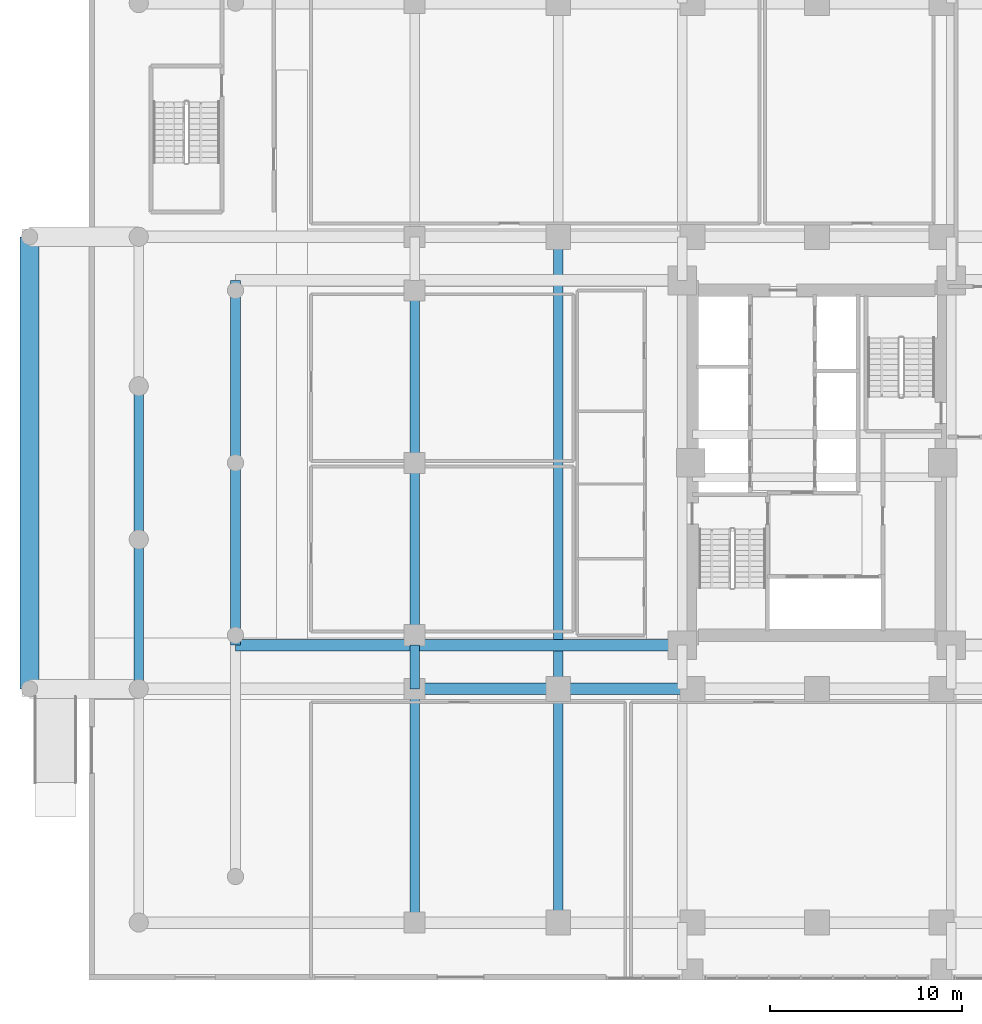
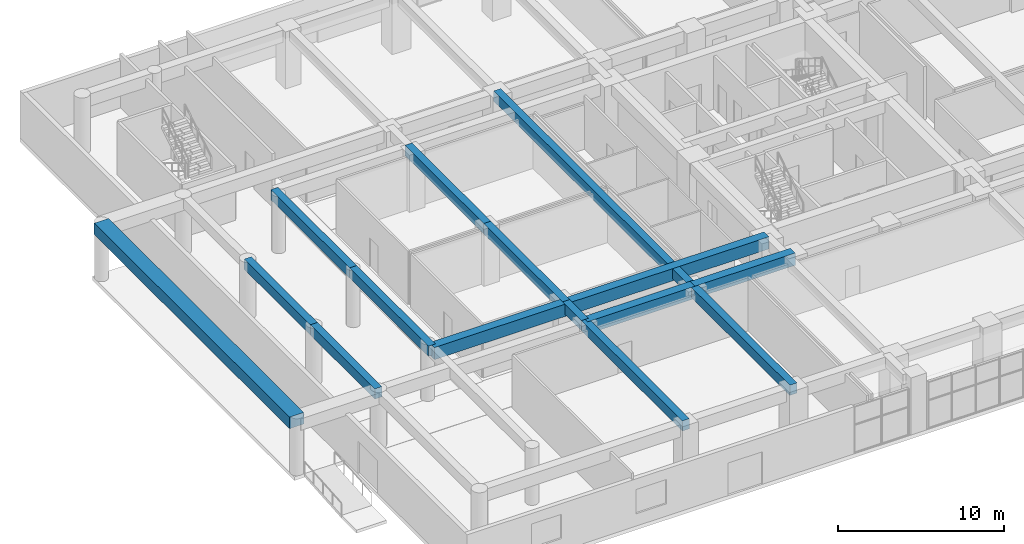
# One storey, part 3 of 24: 15 beams.
"""IFC4 building model written with IfcOpenShell, lengths in metres."""

import ifcopenshell
import ifcopenshell.guid

model = None  # the IFC model being written
_history = None  # IfcOwnerHistory: only IFC2X3 demands one
_inside = {}  # id of a spatial element -> (the spatial element, [elements in it])
_under = {}  # id of a project, library or spatial element -> (it, [spatial elements below it])
_declared = {}  # id of a project -> (the project, [libraries it declares])
_typed = {}  # id of a type object -> (the type object, [elements of that type])
_made_of = {}  # id of a material, layer set ... -> (it, [elements and type objects made of it])


def new_model(schema):
    """Start an empty IFC model of exactly this schema.

    Asked for "IFC4X3", IfcOpenShell would pick the latest addendum, in which some entities
    have other attributes; the version numbers below select the first issue.
    IFC2X3 requires an IfcOwnerHistory on every rooted entity: one is made here for all.
    """
    global model, _history
    if schema == "IFC4X3":
        model = ifcopenshell.file(schema_version=(4, 3, 0, 0))
    else:
        model = ifcopenshell.file(schema=schema)
    _inside.clear()
    _under.clear()
    _declared.clear()
    _typed.clear()
    _made_of.clear()
    _history = None
    if model.schema == "IFC2X3":
        org = make("IfcOrganization", Name="unknown")
        user = make(
            "IfcPersonAndOrganization",
            ThePerson=make("IfcPerson", FamilyName="unknown"),
            TheOrganization=org,
        )
        app = make(
            "IfcApplication",
            ApplicationDeveloper=org,
            Version="unknown",
            ApplicationFullName="unknown",
            ApplicationIdentifier="unknown",
        )
        _history = make(
            "IfcOwnerHistory",
            OwningUser=user,
            OwningApplication=app,
            ChangeAction="ADDED",
            CreationDate=0,
        )
    return model


def make(cls, **values):
    """One entity of the class cls with the attributes given. An attribute that is None is left unset."""
    return model.create_entity(
        cls, **{name: value for name, value in values.items() if value is not None}
    )


def rooted(cls, **values):
    """An entity with a GlobalId (a new one), such as an element, a storey or a relation."""
    return make(cls, GlobalId=ifcopenshell.guid.new(), OwnerHistory=_history, **values)


def si_unit(unit_type, name, prefix=None):
    """IfcSIUnit, for example si_unit("LENGTHUNIT", "METRE", prefix="MILLI")."""
    return make("IfcSIUnit", UnitType=unit_type, Prefix=prefix, Name=name)


def assignment(units):
    """IfcUnitAssignment: the units of a project."""
    return None if units is None else make("IfcUnitAssignment", Units=units)


def point(xyz):
    """IfcCartesianPoint."""
    return None if xyz is None else make("IfcCartesianPoint", Coordinates=xyz)


def direction(xyz):
    """IfcDirection."""
    return None if xyz is None else make("IfcDirection", DirectionRatios=xyz)


def frame(location, z_axis=None, x_axis=None):
    """IfcAxis2Placement3D, a coordinate frame: its origin and axes. An axis left out is left unset."""
    return make(
        "IfcAxis2Placement3D",
        Location=point(location),
        Axis=direction(z_axis),
        RefDirection=direction(x_axis),
    )


def frame_2d(location, x_axis=None):
    """IfcAxis2Placement2D, a coordinate frame in the plane: its origin and x axis."""
    return make(
        "IfcAxis2Placement2D", Location=point(location), RefDirection=direction(x_axis)
    )


def origin():
    """The frame at (0, 0, 0) with its axes left unset."""
    return frame((0.0, 0.0, 0.0))


def origin_2d():
    """The frame at (0, 0) in the plane with its x axis left unset."""
    return frame_2d((0.0, 0.0))


def place(relative_to, where):
    """IfcLocalPlacement: puts the frame where relative to a parent placement (None: the world)."""
    return make(
        "IfcLocalPlacement", PlacementRelTo=relative_to, RelativePlacement=where
    )


def context(
    kind, dimensions, precision=None, world=None, true_north=None, identifier=None
):
    """IfcGeometricRepresentationContext, for example the 3D "Model" context."""
    return make(
        "IfcGeometricRepresentationContext",
        ContextIdentifier=identifier,
        ContextType=kind,
        CoordinateSpaceDimension=dimensions,
        Precision=precision,
        WorldCoordinateSystem=world,
        TrueNorth=true_north,
    )


def subcontext(parent, identifier, kind, view, scale=None):
    """IfcGeometricRepresentationSubContext, for example "Body" below "Model"."""
    return make(
        "IfcGeometricRepresentationSubContext",
        ContextIdentifier=identifier,
        ContextType=kind,
        ParentContext=parent,
        TargetScale=scale,
        TargetView=view,
    )


def project(units=None, contexts=None):
    """IfcProject with its units and contexts."""
    return rooted(
        "IfcProject",
        Name="project",
        RepresentationContexts=contexts,
        UnitsInContext=assignment(units),
    )


def spatial(cls, under=None, at=None, **own):
    """A site, building, storey or space (cls), placed at a placement, below another one or the project."""
    s = rooted(cls, ObjectPlacement=at, **own)
    if under is not None:
        _under.setdefault(under.id(), (under, []))[1].append(s)
    return s


def profile(cls, at=None, kind="AREA", **sizes):
    """A parametric profile (cls). Its sizes go by their IFC names, for example OverallWidth=200.0."""
    return make(cls, ProfileType=kind, Position=at, **sizes)


def rectangle(**sizes):
    """IfcRectangleProfileDef."""
    return profile("IfcRectangleProfileDef", **sizes)


def extrude(swept, where, along, depth):
    """IfcExtrudedAreaSolid: the profile swept, set in the frame where, extruded along a direction by depth."""
    return make(
        "IfcExtrudedAreaSolid",
        SweptArea=swept,
        Position=where,
        ExtrudedDirection=direction(along),
        Depth=depth,
    )


def shape(context_of_items, identifier, shape_type, items):
    """IfcShapeRepresentation: the items that make up one representation, for example the "Body"."""
    return make(
        "IfcShapeRepresentation",
        ContextOfItems=context_of_items,
        RepresentationIdentifier=identifier,
        RepresentationType=shape_type,
        Items=items,
    )


def source(mapping_origin, context_of_items, identifier, shape_type, items):
    """IfcRepresentationMap: a shape defined once, which mapped items show again and again."""
    return make(
        "IfcRepresentationMap",
        MappingOrigin=mapping_origin,
        MappedRepresentation=shape(context_of_items, identifier, shape_type, items),
    )


def transform(
    local_origin,
    x_axis=None,
    y_axis=None,
    z_axis=None,
    scale=None,
    scale2=None,
    scale3=None,
    uniform=True,
):
    """IfcCartesianTransformationOperator3D, or its non-uniform kind. x_axis, y_axis, z_axis: its Axis1, 2, 3."""
    if uniform:
        return make(
            "IfcCartesianTransformationOperator3D",
            Axis1=direction(x_axis),
            Axis2=direction(y_axis),
            LocalOrigin=point(local_origin),
            Scale=scale,
            Axis3=direction(z_axis),
        )
    return make(
        "IfcCartesianTransformationOperator3DnonUniform",
        Axis1=direction(x_axis),
        Axis2=direction(y_axis),
        LocalOrigin=point(local_origin),
        Scale=scale,
        Axis3=direction(z_axis),
        Scale2=scale2,
        Scale3=scale3,
    )


def mapped(mapping_source, mapping_target):
    """IfcMappedItem: shows the shape of a source again, moved by a transform."""
    return make(
        "IfcMappedItem", MappingSource=mapping_source, MappingTarget=mapping_target
    )


def material(Name=None, Category=None):
    """IfcMaterial."""
    return make("IfcMaterial", Name=Name, Category=Category)


def material_profile(
    of_material, cross_section, Name=None, Category=None, Priority=None
):
    """IfcMaterialProfile: a cross section and its material."""
    return make(
        "IfcMaterialProfile",
        Name=Name,
        Material=of_material,
        Profile=cross_section,
        Priority=Priority,
        Category=Category,
    )


def profile_set(profiles, Name=None, composite=None):
    """IfcMaterialProfileSet."""
    return make(
        "IfcMaterialProfileSet",
        Name=Name,
        MaterialProfiles=profiles,
        CompositeProfile=composite,
    )


def made_of(thing, what):
    """Note that an element or type object is made of a material, layer set ...; save() writes the relation."""
    if what is not None:
        _made_of.setdefault(what.id(), (what, []))[1].append(thing)
    return thing


def type_object(cls, material=None, **own):
    """A type object (cls), such as IfcWallType, which elements share."""
    return made_of(rooted(cls, **own), material)


def element(
    cls,
    number,
    at=None,
    inside=None,
    cuts=None,
    type_object=None,
    material=None,
    context=None,
    identifier="Body",
    shape_type=None,
    held_by="IfcProductDefinitionShape",
    body=None,
    shapes=None,
    **own,
):
    """One element of the class cls, such as IfcWall. Its Tag is "e" and its number.

    at: its placement. inside: the storey or other place that contains it. cuts: it is an
    opening in that element (IfcRelVoidsElement). A single representation is given by context,
    identifier, shape_type and body (its items); several are given by shapes. held_by: the class
    of the entity that holds the representations. save() writes the other relations.
    """
    e = rooted(cls, Tag="e%d" % number, ObjectPlacement=at, **own)
    if body is not None:
        shapes = [shape(context, identifier, shape_type, body)]
    if shapes is not None:
        e.Representation = make(held_by, Representations=shapes)
    if inside is not None:
        _inside.setdefault(inside.id(), (inside, []))[1].append(e)
    if cuts is not None:
        rooted(
            "IfcRelVoidsElement", RelatingBuildingElement=cuts, RelatedOpeningElement=e
        )
    if type_object is not None:
        _typed.setdefault(type_object.id(), (type_object, []))[1].append(e)
    return made_of(e, material)


def aggregate(whole, parts):
    """IfcRelAggregates: a whole, such as a stair, and the parts it consists of."""
    return rooted("IfcRelAggregates", RelatingObject=whole, RelatedObjects=parts)


def save(model, path):
    """Write the relations noted so far, then the file.

    IfcRelAggregates (storeys below a building ...), IfcRelContainedInSpatialStructure (elements
    in a storey), IfcRelDefinesByType, IfcRelAssociatesMaterial and IfcRelDeclares: one each for
    every whole, place, type object, material and project.
    """
    for whole, parts in _under.values():
        aggregate(whole, parts)
    for where, things in _inside.values():
        rooted(
            "IfcRelContainedInSpatialStructure",
            RelatedElements=things,
            RelatingStructure=where,
        )
    for kind, things in _typed.values():
        rooted("IfcRelDefinesByType", RelatedObjects=things, RelatingType=kind)
    for what, things in _made_of.values():
        rooted("IfcRelAssociatesMaterial", RelatedObjects=things, RelatingMaterial=what)
    for by, libraries in _declared.values():
        rooted("IfcRelDeclares", RelatingContext=by, RelatedDefinitions=libraries)
    model.write(path)


model = new_model("IFC4")

# Units and contexts
model_context = context("Model", 3, precision=1e-05, world=origin(), true_north=direction((0.0, 1.0)))
body_context = subcontext(model_context, "Body", "Model", "MODEL_VIEW")
ifc_project = project(units=[si_unit("LENGTHUNIT", "METRE"), si_unit("AREAUNIT", "SQUARE_METRE"), si_unit("VOLUMEUNIT", "CUBIC_METRE"), si_unit("PLANEANGLEUNIT", "RADIAN"), si_unit("MASSUNIT", "GRAM", prefix="KILO")], contexts=[model_context])

# Site, building, storey
site_placement = place(None, origin())
site = spatial("IfcSite", under=ifc_project, at=site_placement, CompositionType="ELEMENT")
building_placement = place(site_placement, origin())
building = spatial("IfcBuilding", under=site, at=building_placement, Name="Saelheon Loggia Tower", CompositionType="ELEMENT")
storey_placement = place(building_placement, origin())
storey = spatial("IfcBuildingStorey", under=building, at=storey_placement, Name="L00", CompositionType="ELEMENT", Elevation=0.0)

# Beams
ifc_material_1 = material(Name="Concrete C50/60", Category="concrete")
ifc_material_profile_1 = material_profile(ifc_material_1, rectangle(XDim=0.60009765625, YDim=0.89990234375, at=origin_2d()), Name="RC-600x900")
ifc_profile_set_1 = profile_set([ifc_material_profile_1], Name="Concrete C50/60")
beam_type_1 = type_object("IfcBeamType", Name="Beam_MainGirder_RC600x900", PredefinedType="BEAM", material=ifc_profile_set_1)
shared_shape_1 = source(origin(), body_context, "Body", "SweptSolid", [
    extrude(rectangle(XDim=0.60009765625, YDim=0.89990234375, at=origin_2d()), origin(), (0.0, 0.0, 1.0), 7.5),
])
beam_1_placement = place(storey_placement, frame((17.0, 15.199951171875, 3.75), z_axis=(1.0, 0.0, 0.0), x_axis=(0.0, 1.0, 0.0)))
element("IfcBeam", 1, at=beam_1_placement, inside=storey, type_object=beam_type_1, Name="BM-L00-EW-15-2", PredefinedType="BEAM", context=body_context, shape_type="MappedRepresentation", body=[
    mapped(shared_shape_1, transform((0.0, 0.0, 0.0), scale=1.0)),
])
shared_shape_2 = source(origin(), body_context, "Body", "SweptSolid", [
    extrude(rectangle(XDim=0.60009765625, YDim=0.89990234375, at=origin_2d()), origin(), (0.0, 0.0, 1.0), 7.0),
])
beam_2_placement = place(storey_placement, frame((24.5, 15.199951171875, 3.75), z_axis=(1.0, 0.0, 0.0), x_axis=(0.0, 1.0, 0.0)))
element("IfcBeam", 2, at=beam_2_placement, inside=storey, type_object=beam_type_1, Name="BM-L00-EW-15-3", PredefinedType="BEAM", context=body_context, shape_type="MappedRepresentation", body=[
    mapped(shared_shape_2, transform((0.0, 0.0, 0.0), scale=1.0)),
])
shared_shape_3 = source(origin(), body_context, "Body", "SweptSolid", [
    extrude(rectangle(XDim=0.60009765625, YDim=0.89990234375, at=origin_2d()), origin(), (0.0, 0.0, 1.0), 9.35009765625),
])
beam_3_placement = place(storey_placement, frame((7.64990234375, 17.47998046875, 3.75), z_axis=(1.0, 0.0, 0.0), x_axis=(0.0, 1.0, 0.0)))
element("IfcBeam", 3, at=beam_3_placement, inside=storey, type_object=beam_type_1, Name="BM-L00-CT-17-W1", PredefinedType="BEAM", context=body_context, shape_type="MappedRepresentation", body=[
    mapped(shared_shape_3, transform((0.0, 0.0, 0.0), scale=1.0)),
])
shared_shape_4 = source(origin(), body_context, "Body", "SweptSolid", [
    extrude(rectangle(XDim=0.60009765625, YDim=0.89990234375, at=origin_2d()), origin(), (0.0, 0.0, 1.0), 13.97998046875),
])
beam_4_placement = place(storey_placement, frame((17.0, 17.47998046875, 3.75), z_axis=(1.0, 0.0, 0.0), x_axis=(0.0, 1.0, 0.0)))
element("IfcBeam", 4, at=beam_4_placement, inside=storey, type_object=beam_type_1, Name="BM-L00-CT-17-W2", PredefinedType="BEAM", context=body_context, shape_type="MappedRepresentation", body=[
    mapped(shared_shape_4, transform((0.0, 0.0, 0.0), scale=1.0)),
])
ifc_material_2 = material(Name="Concrete C45/55", Category="concrete")
ifc_material_profile_2 = material_profile(ifc_material_2, rectangle(XDim=0.5, YDim=0.75, at=origin_2d()), Name="RC-500x750")
ifc_profile_set_2 = profile_set([ifc_material_profile_2], Name="Concrete C45/55")
beam_type_2 = type_object("IfcBeamType", Name="Beam_FloorGirder_RC500x750", PredefinedType="BEAM", material=ifc_profile_set_2)
shared_shape_5 = source(origin(), body_context, "Body", "SweptSolid", [
    extrude(rectangle(XDim=0.5, YDim=0.75, at=origin_2d()), origin(), (0.0, 0.0, 1.0), 12.199951171875),
])
for number, where, z_axis, x_axis, name in (
    (5, (17.0, 3.0, 3.824951171875), (0.0, 1.0, 0.0), (-1.0, 0.0, 0.0), "BM-L00-NS-17-1"),
    (6, (24.5, 3.0, 3.824951171875), (0.0, 1.0, 0.0), (-1.0, 0.0, 0.0), "BM-L00-NS-24-1"),
):
    element("IfcBeam", number, at=place(storey_placement, frame(where, z_axis=z_axis, x_axis=x_axis)), inside=storey, type_object=beam_type_2, Name=name, PredefinedType="BEAM", context=body_context, shape_type="MappedRepresentation", body=[
        mapped(shared_shape_5, transform((0.0, 0.0, 0.0), scale=1.0)),
    ])
ifc_material_profile_3 = material_profile(ifc_material_2, rectangle(XDim=0.5, YDim=0.75, at=origin_2d()), Name="RC-500x750")
ifc_profile_set_3 = profile_set([ifc_material_profile_3], Name="Concrete C45/55")
beam_type_3 = type_object("IfcBeamType", Name="Beam_PerimGirder_RC500x750", PredefinedType="BEAM", material=ifc_profile_set_3)
shared_shape_6 = source(origin(), body_context, "Body", "SweptSolid", [
    extrude(rectangle(XDim=0.5, YDim=0.75, at=origin_2d()), origin(), (0.0, 0.0, 1.0), 7.800048828125),
])
beam_5_placement = place(storey_placement, frame((2.60009765625, 15.199951171875, 3.824951171875), z_axis=(0.0, 1.0, 0.0), x_axis=(-1.0, 0.0, 0.0)))
element("IfcBeam", 7, at=beam_5_placement, inside=storey, type_object=beam_type_3, Name="BM-L00-NS-2-2", PredefinedType="BEAM", context=body_context, shape_type="MappedRepresentation", body=[
    mapped(shared_shape_6, transform((0.0, 0.0, 0.0), scale=1.0)),
])
shared_shape_7 = source(origin(), body_context, "Body", "SweptSolid", [
    extrude(rectangle(XDim=0.5, YDim=0.75, at=origin_2d()), origin(), (0.0, 0.0, 1.0), 8.0),
])
beam_6_placement = place(storey_placement, frame((2.60009765625, 23.0, 3.824951171875), z_axis=(0.0, 1.0, 0.0), x_axis=(-1.0, 0.0, 0.0)))
element("IfcBeam", 8, at=beam_6_placement, inside=storey, type_object=beam_type_3, Name="BM-L00-NS-2-3", PredefinedType="BEAM", context=body_context, shape_type="MappedRepresentation", body=[
    mapped(shared_shape_7, transform((0.0, 0.0, 0.0), scale=1.0)),
])
shared_shape_8 = source(origin(), body_context, "Body", "SweptSolid", [
    extrude(rectangle(XDim=0.5, YDim=0.75, at=origin_2d()), origin(), (0.0, 0.0, 1.0), 9.52001953125),
])
for number, where, z_axis, x_axis, name in (
    (9, (7.64990234375, 17.47998046875, 3.824951171875), (0.0, 1.0, 0.0), (-1.0, 0.0, 0.0), "BM-L00-NS-7-2"),
    (10, (7.64990234375, 27.0, 3.824951171875), (0.0, 1.0, 0.0), (-1.0, 0.0, 0.0), "BM-L00-NS-7-3"),
    (11, (17.0, 17.47998046875, 3.824951171875), (0.0, 1.0, 0.0), (-1.0, 0.0, 0.0), "BM-L00-NS-17-3"),
    (12, (17.0, 27.0, 3.824951171875), (0.0, 1.0, 0.0), (-1.0, 0.0, 0.0), "BM-L00-NS-17-4"),
):
    element("IfcBeam", number, at=place(storey_placement, frame(where, z_axis=z_axis, x_axis=x_axis)), inside=storey, type_object=beam_type_2, Name=name, PredefinedType="BEAM", context=body_context, shape_type="MappedRepresentation", body=[
        mapped(shared_shape_8, transform((0.0, 0.0, 0.0), scale=1.0)),
    ])
shared_shape_9 = source(origin(), body_context, "Body", "SweptSolid", [
    extrude(rectangle(XDim=0.5, YDim=0.75, at=origin_2d()), origin(), (0.0, 0.0, 1.0), 2.280029296875),
])
beam_7_placement = place(storey_placement, frame((17.0, 15.199951171875, 3.824951171875), z_axis=(0.0, 1.0, 0.0), x_axis=(-1.0, 0.0, 0.0)))
element("IfcBeam", 13, at=beam_7_placement, inside=storey, type_object=beam_type_2, Name="BM-L00-NS-17-2", PredefinedType="BEAM", context=body_context, shape_type="MappedRepresentation", body=[
    mapped(shared_shape_9, transform((0.0, 0.0, 0.0), scale=1.0)),
])
shared_shape_10 = source(origin(), body_context, "Body", "SweptSolid", [
    extrude(rectangle(XDim=0.5, YDim=0.75, at=origin_2d()), origin(), (0.0, 0.0, 1.0), 23.60009765625),
])
beam_8_placement = place(storey_placement, frame((24.5, 15.199951171875, 3.824951171875), z_axis=(0.0, 1.0, 0.0), x_axis=(-1.0, 0.0, 0.0)))
element("IfcBeam", 14, at=beam_8_placement, inside=storey, type_object=beam_type_2, Name="BM-L00-NS-24-2", PredefinedType="BEAM", context=body_context, shape_type="MappedRepresentation", body=[
    mapped(shared_shape_10, transform((0.0, 0.0, 0.0), scale=1.0)),
])
ifc_material_3 = material(Name="Precast Concrete C45/55", Category="concrete")
ifc_material_profile_4 = material_profile(ifc_material_3, rectangle(XDim=1.0, YDim=0.85009765625, at=origin_2d()), Name="RC-1000x850")
ifc_profile_set_4 = profile_set([ifc_material_profile_4], Name="Precast Concrete C45/55")
beam_type_4 = type_object("IfcBeamType", Name="Beam_PorticoGirder_RC1000x850", PredefinedType="BEAM", material=ifc_profile_set_4)
shared_shape_11 = source(origin(), body_context, "Body", "SweptSolid", [
    extrude(rectangle(XDim=1.0, YDim=0.85009765625, at=origin_2d()), origin(), (0.0, 0.0, 1.0), 23.60009765625),
])
beam_9_placement = place(storey_placement, frame((-3.10009765625, 15.199951171875, 3.77490234375), z_axis=(0.0, 1.0, 0.0), x_axis=(-1.0, 0.0, 0.0)))
element("IfcBeam", 15, at=beam_9_placement, inside=storey, type_object=beam_type_4, Name="BM-L00-PRTW-E", PredefinedType="BEAM", context=body_context, shape_type="MappedRepresentation", body=[
    mapped(shared_shape_11, transform((0.0, 0.0, 0.0), scale=1.0)),
])

save(model, "model.ifc")
